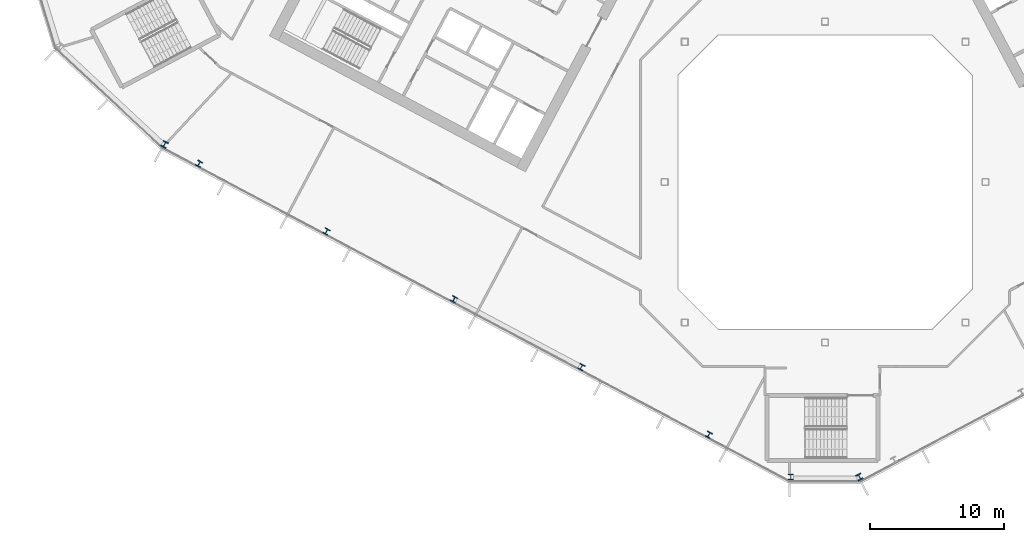
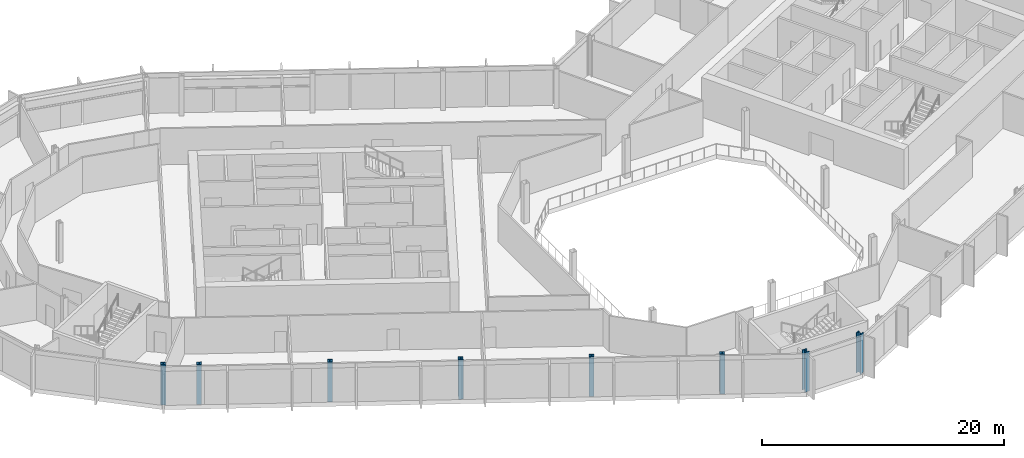
# One storey, part 1 of 34: 8 columns.
"""IFC4 building model written with IfcOpenShell, lengths in metres."""

import ifcopenshell
import ifcopenshell.guid

model = None  # the IFC model being written
_history = None  # IfcOwnerHistory: only IFC2X3 demands one
_inside = {}  # id of a spatial element -> (the spatial element, [elements in it])
_under = {}  # id of a project, library or spatial element -> (it, [spatial elements below it])
_declared = {}  # id of a project -> (the project, [libraries it declares])
_typed = {}  # id of a type object -> (the type object, [elements of that type])
_made_of = {}  # id of a material, layer set ... -> (it, [elements and type objects made of it])


def new_model(schema):
    """Start an empty IFC model of exactly this schema.

    Asked for "IFC4X3", IfcOpenShell would pick the latest addendum, in which some entities
    have other attributes; the version numbers below select the first issue.
    IFC2X3 requires an IfcOwnerHistory on every rooted entity: one is made here for all.
    """
    global model, _history
    if schema == "IFC4X3":
        model = ifcopenshell.file(schema_version=(4, 3, 0, 0))
    else:
        model = ifcopenshell.file(schema=schema)
    _inside.clear()
    _under.clear()
    _declared.clear()
    _typed.clear()
    _made_of.clear()
    _history = None
    if model.schema == "IFC2X3":
        org = make("IfcOrganization", Name="unknown")
        user = make(
            "IfcPersonAndOrganization",
            ThePerson=make("IfcPerson", FamilyName="unknown"),
            TheOrganization=org,
        )
        app = make(
            "IfcApplication",
            ApplicationDeveloper=org,
            Version="unknown",
            ApplicationFullName="unknown",
            ApplicationIdentifier="unknown",
        )
        _history = make(
            "IfcOwnerHistory",
            OwningUser=user,
            OwningApplication=app,
            ChangeAction="ADDED",
            CreationDate=0,
        )
    return model


def make(cls, **values):
    """One entity of the class cls with the attributes given. An attribute that is None is left unset."""
    return model.create_entity(
        cls, **{name: value for name, value in values.items() if value is not None}
    )


def rooted(cls, **values):
    """An entity with a GlobalId (a new one), such as an element, a storey or a relation."""
    return make(cls, GlobalId=ifcopenshell.guid.new(), OwnerHistory=_history, **values)


def si_unit(unit_type, name, prefix=None):
    """IfcSIUnit, for example si_unit("LENGTHUNIT", "METRE", prefix="MILLI")."""
    return make("IfcSIUnit", UnitType=unit_type, Prefix=prefix, Name=name)


def assignment(units):
    """IfcUnitAssignment: the units of a project."""
    return None if units is None else make("IfcUnitAssignment", Units=units)


def point(xyz):
    """IfcCartesianPoint."""
    return None if xyz is None else make("IfcCartesianPoint", Coordinates=xyz)


def direction(xyz):
    """IfcDirection."""
    return None if xyz is None else make("IfcDirection", DirectionRatios=xyz)


def frame(location, z_axis=None, x_axis=None):
    """IfcAxis2Placement3D, a coordinate frame: its origin and axes. An axis left out is left unset."""
    return make(
        "IfcAxis2Placement3D",
        Location=point(location),
        Axis=direction(z_axis),
        RefDirection=direction(x_axis),
    )


def frame_2d(location, x_axis=None):
    """IfcAxis2Placement2D, a coordinate frame in the plane: its origin and x axis."""
    return make(
        "IfcAxis2Placement2D", Location=point(location), RefDirection=direction(x_axis)
    )


def origin():
    """The frame at (0, 0, 0) with its axes left unset."""
    return frame((0.0, 0.0, 0.0))


def origin_2d():
    """The frame at (0, 0) in the plane with its x axis left unset."""
    return frame_2d((0.0, 0.0))


def place(relative_to, where):
    """IfcLocalPlacement: puts the frame where relative to a parent placement (None: the world)."""
    return make(
        "IfcLocalPlacement", PlacementRelTo=relative_to, RelativePlacement=where
    )


def context(
    kind, dimensions, precision=None, world=None, true_north=None, identifier=None
):
    """IfcGeometricRepresentationContext, for example the 3D "Model" context."""
    return make(
        "IfcGeometricRepresentationContext",
        ContextIdentifier=identifier,
        ContextType=kind,
        CoordinateSpaceDimension=dimensions,
        Precision=precision,
        WorldCoordinateSystem=world,
        TrueNorth=true_north,
    )


def subcontext(parent, identifier, kind, view, scale=None):
    """IfcGeometricRepresentationSubContext, for example "Body" below "Model"."""
    return make(
        "IfcGeometricRepresentationSubContext",
        ContextIdentifier=identifier,
        ContextType=kind,
        ParentContext=parent,
        TargetScale=scale,
        TargetView=view,
    )


def project(units=None, contexts=None):
    """IfcProject with its units and contexts."""
    return rooted(
        "IfcProject",
        Name="project",
        RepresentationContexts=contexts,
        UnitsInContext=assignment(units),
    )


def spatial(cls, under=None, at=None, **own):
    """A site, building, storey or space (cls), placed at a placement, below another one or the project."""
    s = rooted(cls, ObjectPlacement=at, **own)
    if under is not None:
        _under.setdefault(under.id(), (under, []))[1].append(s)
    return s


def profile(cls, at=None, kind="AREA", **sizes):
    """A parametric profile (cls). Its sizes go by their IFC names, for example OverallWidth=200.0."""
    return make(cls, ProfileType=kind, Position=at, **sizes)


def i_section(**sizes):
    """IfcIShapeProfileDef."""
    return profile("IfcIShapeProfileDef", **sizes)


def extrude(swept, where, along, depth):
    """IfcExtrudedAreaSolid: the profile swept, set in the frame where, extruded along a direction by depth."""
    return make(
        "IfcExtrudedAreaSolid",
        SweptArea=swept,
        Position=where,
        ExtrudedDirection=direction(along),
        Depth=depth,
    )


def shape(context_of_items, identifier, shape_type, items):
    """IfcShapeRepresentation: the items that make up one representation, for example the "Body"."""
    return make(
        "IfcShapeRepresentation",
        ContextOfItems=context_of_items,
        RepresentationIdentifier=identifier,
        RepresentationType=shape_type,
        Items=items,
    )


def material(Name=None, Category=None):
    """IfcMaterial."""
    return make("IfcMaterial", Name=Name, Category=Category)


def material_profile(
    of_material, cross_section, Name=None, Category=None, Priority=None
):
    """IfcMaterialProfile: a cross section and its material."""
    return make(
        "IfcMaterialProfile",
        Name=Name,
        Material=of_material,
        Profile=cross_section,
        Priority=Priority,
        Category=Category,
    )


def profile_set(profiles, Name=None, composite=None):
    """IfcMaterialProfileSet."""
    return make(
        "IfcMaterialProfileSet",
        Name=Name,
        MaterialProfiles=profiles,
        CompositeProfile=composite,
    )


def made_of(thing, what):
    """Note that an element or type object is made of a material, layer set ...; save() writes the relation."""
    if what is not None:
        _made_of.setdefault(what.id(), (what, []))[1].append(thing)
    return thing


def type_object(cls, material=None, **own):
    """A type object (cls), such as IfcWallType, which elements share."""
    return made_of(rooted(cls, **own), material)


def element(
    cls,
    number,
    at=None,
    inside=None,
    cuts=None,
    type_object=None,
    material=None,
    context=None,
    identifier="Body",
    shape_type=None,
    held_by="IfcProductDefinitionShape",
    body=None,
    shapes=None,
    **own,
):
    """One element of the class cls, such as IfcWall. Its Tag is "e" and its number.

    at: its placement. inside: the storey or other place that contains it. cuts: it is an
    opening in that element (IfcRelVoidsElement). A single representation is given by context,
    identifier, shape_type and body (its items); several are given by shapes. held_by: the class
    of the entity that holds the representations. save() writes the other relations.
    """
    e = rooted(cls, Tag="e%d" % number, ObjectPlacement=at, **own)
    if body is not None:
        shapes = [shape(context, identifier, shape_type, body)]
    if shapes is not None:
        e.Representation = make(held_by, Representations=shapes)
    if inside is not None:
        _inside.setdefault(inside.id(), (inside, []))[1].append(e)
    if cuts is not None:
        rooted(
            "IfcRelVoidsElement", RelatingBuildingElement=cuts, RelatedOpeningElement=e
        )
    if type_object is not None:
        _typed.setdefault(type_object.id(), (type_object, []))[1].append(e)
    return made_of(e, material)


def aggregate(whole, parts):
    """IfcRelAggregates: a whole, such as a stair, and the parts it consists of."""
    return rooted("IfcRelAggregates", RelatingObject=whole, RelatedObjects=parts)


def save(model, path):
    """Write the relations noted so far, then the file.

    IfcRelAggregates (storeys below a building ...), IfcRelContainedInSpatialStructure (elements
    in a storey), IfcRelDefinesByType, IfcRelAssociatesMaterial and IfcRelDeclares: one each for
    every whole, place, type object, material and project.
    """
    for whole, parts in _under.values():
        aggregate(whole, parts)
    for where, things in _inside.values():
        rooted(
            "IfcRelContainedInSpatialStructure",
            RelatedElements=things,
            RelatingStructure=where,
        )
    for kind, things in _typed.values():
        rooted("IfcRelDefinesByType", RelatedObjects=things, RelatingType=kind)
    for what, things in _made_of.values():
        rooted("IfcRelAssociatesMaterial", RelatedObjects=things, RelatingMaterial=what)
    for by, libraries in _declared.values():
        rooted("IfcRelDeclares", RelatingContext=by, RelatedDefinitions=libraries)
    model.write(path)


model = new_model("IFC4")

# Units and contexts
model_context = context("Model", 3, precision=1e-05, world=origin(), true_north=direction((0.0, 1.0)))
body_context = subcontext(model_context, "Body", "Model", "MODEL_VIEW")
ifc_project = project(units=[si_unit("LENGTHUNIT", "METRE"), si_unit("AREAUNIT", "SQUARE_METRE"), si_unit("VOLUMEUNIT", "CUBIC_METRE"), si_unit("PLANEANGLEUNIT", "RADIAN"), si_unit("MASSUNIT", "GRAM", prefix="KILO")], contexts=[model_context])

# Site, building, storey
site_placement = place(None, origin())
site = spatial("IfcSite", under=ifc_project, at=site_placement, CompositionType="ELEMENT")
building_placement = place(site_placement, origin())
building = spatial("IfcBuilding", under=site, at=building_placement, Name="Cormorant Relay Tower", CompositionType="ELEMENT")
storey_placement = place(building_placement, frame((0.0, 0.0, 118.199951171875)))
storey = spatial("IfcBuildingStorey", under=building, at=storey_placement, Name="L23", CompositionType="ELEMENT", Elevation=118.199951171875)

# Columns
ifc_material_1 = material(Name="Steel ASTM A992 (Fy 345 MPa)", Category="steel")
ifc_material_profile_1 = material_profile(ifc_material_1, i_section(OverallWidth=0.41162109375, OverallDepth=0.434326171875, WebThickness=0.035888671875, FlangeThickness=0.057373046875, FilletRadius=0.01513671875, at=origin_2d()), Name="W360x463")
ifc_profile_set_1 = profile_set([ifc_material_profile_1], Name="Steel ASTM A992 (Fy 345 MPa)")
column_type_1 = type_object("IfcColumnType", Name="Column W360x463", PredefinedType="COLUMN", material=ifc_profile_set_1)
for number, where, z_axis, x_axis, name in (
    (1, (-8.696044921875, -18.910888671875, 0.0), (0.0, 0.0, 1.0), (0.882947592859, -0.469471562786, 0.0), "Column L23-004"),
    (2, (-18.23193359375, -13.841064453125, 0.0), (0.0, 0.0, 1.0), (0.882947592859, -0.469471562786, 0.0), "Column L23-006"),
    (3, (-27.76806640625, -8.77001953125, 0.0), (0.0, 0.0, 1.0), (0.882947592859, -0.469471562786, 0.0), "Column L23-011"),
    (4, (-37.303955078125, -3.699951171875, 0.0), (0.0, 0.0, 1.0), (0.882947592859, -0.469471562786, 0.0), "Column L23-013"),
    (5, (-46.839111328125, 1.3701171875, 0.0), (0.0, 0.0, 1.0), (0.882947592859, -0.469471562786, 0.0), "Column L23-018"),
):
    element("IfcColumn", number, at=place(storey_placement, frame(where, z_axis=z_axis, x_axis=x_axis)), inside=storey, type_object=column_type_1, Name=name, PredefinedType="COLUMN", context=body_context, shape_type="SweptSolid", body=[
        extrude(i_section(OverallWidth=0.41162109375, OverallDepth=0.434326171875, WebThickness=0.035888671875, FlangeThickness=0.057373046875, FilletRadius=0.01513671875, at=origin_2d()), origin(), (0.0, 0.0, 1.0), 4.0),
    ])
ifc_material_2 = material(Name="Steel ASTM A992 (Fy 345 MPa)", Category="steel")
ifc_material_profile_2 = material_profile(ifc_material_2, i_section(OverallWidth=0.42431640625, OverallDepth=0.47509765625, WebThickness=0.0478515625, FlangeThickness=0.0771484375, FilletRadius=0.014892578125, at=origin_2d()), Name="W360x634")
ifc_profile_set_2 = profile_set([ifc_material_profile_2], Name="Steel ASTM A992 (Fy 345 MPa)")
column_type_2 = type_object("IfcColumnType", Name="Column W360x634", PredefinedType="COLUMN", material=ifc_profile_set_2)
for number, where, z_axis, x_axis, name in (
    (6, (-2.571044921875, -22.06494140625, 0.0), (0.0, 0.0, 1.0), (1.0, 0.0, 0.0), "Column L23-001"),
    (7, (2.571044921875, -22.06494140625, 0.0), (0.0, 0.0, 1.0), (0.882947592859, 0.469471562786, 0.0), "Column L23-002"),
    (8, (-49.423095703125, 2.820068359375, 0.0), (0.0, 0.0, 1.0), (0.882947592859, -0.469471562786, 0.0), "Column L23-019"),
):
    element("IfcColumn", number, at=place(storey_placement, frame(where, z_axis=z_axis, x_axis=x_axis)), inside=storey, type_object=column_type_2, Name=name, PredefinedType="COLUMN", context=body_context, shape_type="SweptSolid", body=[
        extrude(i_section(OverallWidth=0.42431640625, OverallDepth=0.47509765625, WebThickness=0.0478515625, FlangeThickness=0.0771484375, FilletRadius=0.014892578125, at=origin_2d()), origin(), (0.0, 0.0, 1.0), 4.0),
    ])

save(model, "model.ifc")
